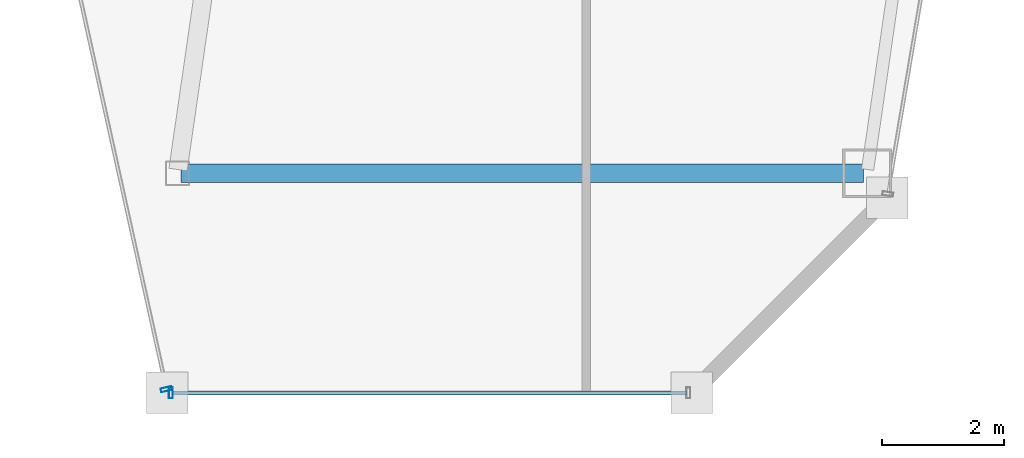
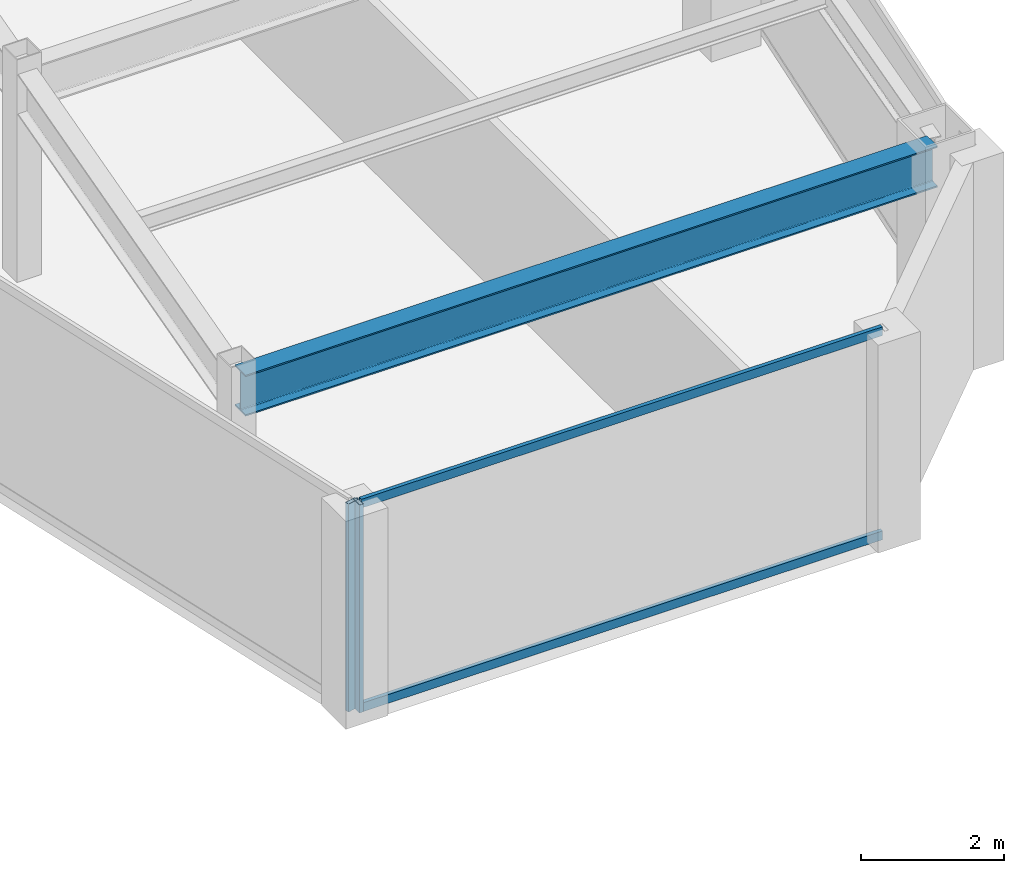
# One storey, part 16 of 36: 4 members, 1 beam, 2 elements without a shape of their own.
"""IFC4 building model written with IfcOpenShell, lengths in metres."""

from ifc_helpers import new_model, si_unit, direction, frame, origin, origin_2d, place, context, subcontext, project, spatial, hollow_rectangle, i_section, extrude, material, material_profile, profile_set, type_object, element, aggregate, save


model = new_model("IFC4")

# Units and contexts
model_context = context("Model", 3, precision=1e-05, world=origin(), true_north=direction((0.0, 1.0)))
body_context = subcontext(model_context, "Body", "Model", "MODEL_VIEW")
ifc_project = project(units=[si_unit("LENGTHUNIT", "METRE"), si_unit("AREAUNIT", "SQUARE_METRE"), si_unit("VOLUMEUNIT", "CUBIC_METRE"), si_unit("PLANEANGLEUNIT", "RADIAN"), si_unit("MASSUNIT", "GRAM", prefix="KILO")], contexts=[model_context])

# Site, building, storey
site_placement = place(None, origin())
site = spatial("IfcSite", under=ifc_project, at=site_placement, CompositionType="ELEMENT")
building_placement = place(site_placement, origin())
building = spatial("IfcBuilding", under=site, at=building_placement, Name="Saevonmaru Cultural Tower", CompositionType="ELEMENT")
storey_placement = place(building_placement, frame((0.0, 0.0, 198.0)))
storey = spatial("IfcBuildingStorey", under=building, at=storey_placement, Name="L45", CompositionType="ELEMENT", Elevation=198.0)

# Beam
ifc_material_1 = material(Name="Steel SM355", Category="steel")
ifc_material_profile_1 = material_profile(ifc_material_1, i_section(OverallWidth=0.300048828125, OverallDepth=0.699951171875, WebThickness=0.012939453125, FlangeThickness=0.02392578125, FilletRadius=0.02587890625, at=origin_2d()), Name="H-700x300x13x24")
ifc_profile_set_1 = profile_set([ifc_material_profile_1], Name="Steel SM355")
beam_type = type_object("IfcBeamType", Name="BM-G-H700", PredefinedType="BEAM", material=ifc_profile_set_1)
beam_placement = place(storey_placement, frame((38.132080078125, 16.0, 3.199951171875), z_axis=(1.0, 0.0, 0.0), x_axis=(0.0, 1.0, 0.0)))
element("IfcBeam", 1, at=beam_placement, inside=storey, type_object=beam_type, Name="L45 East Wing Transverse Girder 1", PredefinedType="BEAM", context=body_context, shape_type="SweptSolid", body=[
    extrude(i_section(OverallWidth=0.300048828125, OverallDepth=0.699951171875, WebThickness=0.012939453125, FlangeThickness=0.02392578125, FilletRadius=0.02587890625, at=origin_2d()), origin(), (0.0, 0.0, 1.0), 11.179931640625),
])

# Curtain wall, member
ifc_material_2 = material(Name="Satin Bronze Anodised Aluminium", Category="aluminium")
curtain_wall_type = type_object("IfcCurtainWallType", Name="CW-TYP-B", PredefinedType="NOTDEFINED", material=ifc_material_2)
curtain_wall_1_placement = place(storey_placement, origin())
curtain_wall_1 = element("IfcCurtainWall", 2, at=curtain_wall_1_placement, inside=storey, type_object=curtain_wall_type, Name="L45 Unitised Curtain Wall E5", PredefinedType="NOTDEFINED")
ifc_material_profile_2 = material_profile(ifc_material_2, hollow_rectangle(XDim=0.06494140625, YDim=0.179931640625, WallThickness=0.00390625, at=origin_2d()), Name="ALU-MULL-180x65x4")
ifc_profile_set_2 = profile_set([ifc_material_profile_2], Name="Satin Bronze Anodised Aluminium")
member_type_1 = type_object("IfcMemberType", Name="ML-CW-180x65", PredefinedType="MULLION", material=ifc_profile_set_2)
member_1_placement = place(storey_placement, frame((37.889404296875, 12.45849609375, 0.0), z_axis=(0.0, 0.0, 1.0), x_axis=(0.215413319953, -0.976522965212, 0.0)))
member_1 = element("IfcMember", 3, at=member_1_placement, type_object=member_type_1, Name="CW-TW-L45-E5 mullion 2", PredefinedType="MULLION", context=body_context, shape_type="SweptSolid", body=[
    extrude(hollow_rectangle(XDim=0.06494140625, YDim=0.179931640625, WallThickness=0.00390625, at=origin_2d()), origin(), (0.0, 0.0, 1.0), 3.550048828125),
])
aggregate(curtain_wall_1, [member_1])

# Curtain wall, members
curtain_wall_2_placement = place(storey_placement, origin())
curtain_wall_2 = element("IfcCurtainWall", 4, at=curtain_wall_2_placement, inside=storey, type_object=curtain_wall_type, Name="L45 Unitised Curtain Wall E6", PredefinedType="NOTDEFINED")
member_2_placement = place(storey_placement, frame((37.962158203125, 12.39990234375, 0.0), z_axis=(0.0, 0.0, 1.0), x_axis=(1.0, 0.0, 0.0)))
member_2 = element("IfcMember", 5, at=member_2_placement, type_object=member_type_1, Name="CW-TW-L45-E6 mullion 1", PredefinedType="MULLION", context=body_context, shape_type="SweptSolid", body=[
    extrude(hollow_rectangle(XDim=0.06494140625, YDim=0.179931640625, WallThickness=0.00390625, at=origin_2d()), origin(), (0.0, 0.0, 1.0), 3.550048828125),
])
ifc_material_profile_3 = material_profile(ifc_material_2, hollow_rectangle(XDim=0.06494140625, YDim=0.14990234375, WallThickness=0.00390625, at=origin_2d()), Name="ALU-TRAN-150x65x4")
ifc_profile_set_3 = profile_set([ifc_material_profile_3], Name="Satin Bronze Anodised Aluminium")
member_type_2 = type_object("IfcMemberType", Name="TR-CW-150x65", PredefinedType="USERDEFINED", material=ifc_profile_set_3)
member_3_placement = place(storey_placement, frame((37.99462890625, 12.39990234375, 0.032470703125), z_axis=(1.0, 0.0, 0.0), x_axis=(0.0, 1.0, 0.0)))
member_3 = element("IfcMember", 6, at=member_3_placement, type_object=member_type_2, Name="CW-TW-L45-E6 transom 1.1", ObjectType="TRANSOM", PredefinedType="USERDEFINED", context=body_context, shape_type="SweptSolid", body=[
    extrude(hollow_rectangle(XDim=0.06494140625, YDim=0.14990234375, WallThickness=0.00390625, at=origin_2d()), origin(), (0.0, 0.0, 1.0), 8.4150390625),
])
member_4_placement = place(storey_placement, frame((37.99462890625, 12.39990234375, 3.517578125), z_axis=(1.0, 0.0, 0.0), x_axis=(0.0, 1.0, 0.0)))
member_4 = element("IfcMember", 7, at=member_4_placement, type_object=member_type_2, Name="CW-TW-L45-E6 transom 1.2", ObjectType="TRANSOM", PredefinedType="USERDEFINED", context=body_context, shape_type="SweptSolid", body=[
    extrude(hollow_rectangle(XDim=0.06494140625, YDim=0.14990234375, WallThickness=0.00390625, at=origin_2d()), origin(), (0.0, 0.0, 1.0), 8.4150390625),
])
aggregate(curtain_wall_2, [member_2, member_3, member_4])

save(model, "model.ifc")
